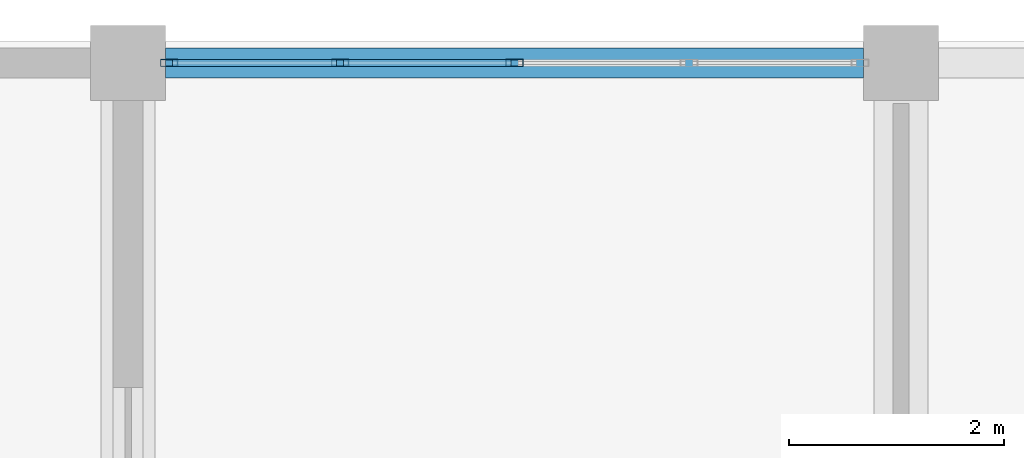
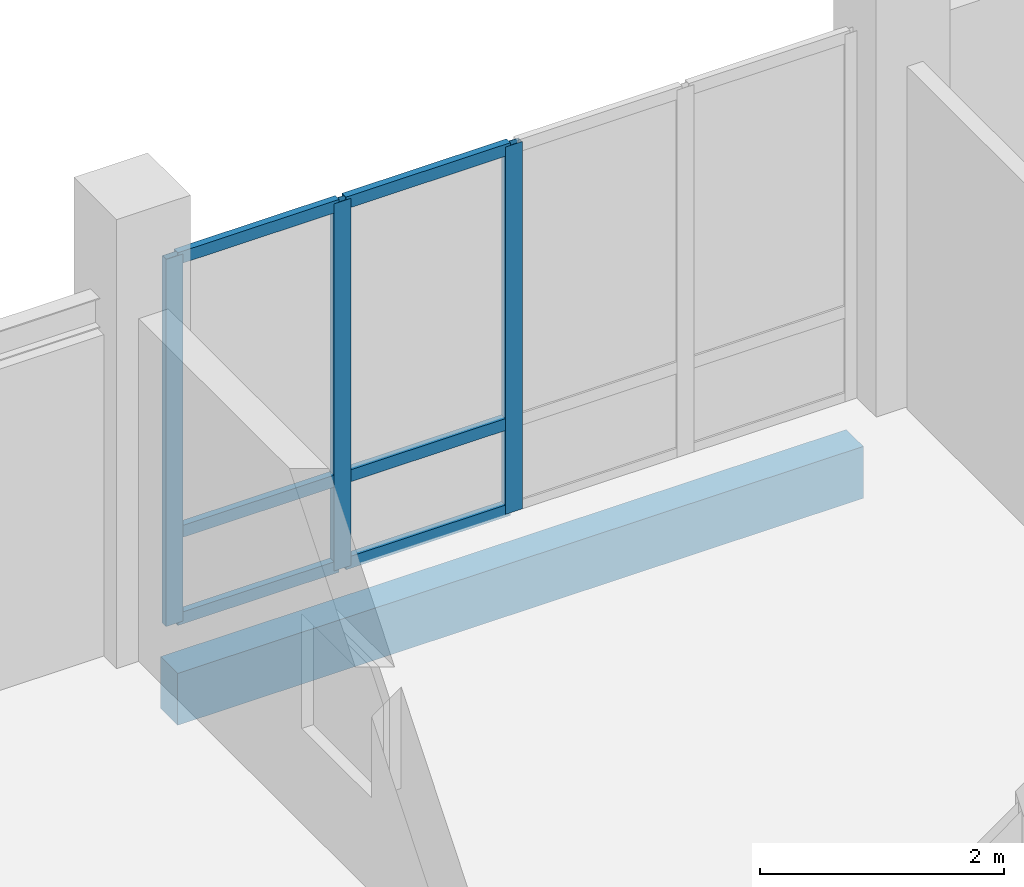
# One storey, part 66 of 139: 9 members, 1 beam, 1 element without a shape of its own.
"""IFC4 building model written with IfcOpenShell, lengths in metres."""

from ifc_helpers import new_model, si_unit, direction, frame, origin, origin_2d, place, context, subcontext, project, spatial, rectangle, hollow_rectangle, extrude, material, material_profile, profile_set, type_object, element, aggregate, save


model = new_model("IFC4")

# Units and contexts
model_context = context("Model", 3, precision=1e-05, world=origin(), true_north=direction((0.0, 1.0)))
body_context = subcontext(model_context, "Body", "Model", "MODEL_VIEW")
ifc_project = project(units=[si_unit("LENGTHUNIT", "METRE"), si_unit("AREAUNIT", "SQUARE_METRE"), si_unit("VOLUMEUNIT", "CUBIC_METRE"), si_unit("PLANEANGLEUNIT", "RADIAN"), si_unit("MASSUNIT", "GRAM", prefix="KILO")], contexts=[model_context])

# Site, building, storey
site_placement = place(None, origin())
site = spatial("IfcSite", under=ifc_project, at=site_placement, CompositionType="ELEMENT")
building_placement = place(site_placement, origin())
building = spatial("IfcBuilding", under=site, at=building_placement, Name="Suanplinth Sawtooth Commons", CompositionType="ELEMENT")
storey_placement = place(building_placement, origin())
storey = spatial("IfcBuildingStorey", under=building, at=storey_placement, Name="L00", CompositionType="ELEMENT", Elevation=0.0)

# Beam
ifc_material_1 = material(Name="Precast concrete C40/50", Category="concrete")
ifc_material_profile_1 = material_profile(ifc_material_1, rectangle(XDim=0.280029296875, YDim=0.52001953125, at=origin_2d()), Name="PC-SP 280x520")
ifc_profile_set_1 = profile_set([ifc_material_profile_1], Name="Precast concrete C40/50")
beam_type = type_object("IfcBeamType", Name="B-08", PredefinedType="SPANDREL", material=ifc_profile_set_1)
beam_placement = place(storey_placement, frame((122.75, 122.39990234375, -0.679931640625), z_axis=(1.0, 0.0, 0.0), x_axis=(0.0, 1.0, 0.0)))
element("IfcBeam", 1, at=beam_placement, inside=storey, type_object=beam_type, Name="BMX-L00-B-17-17", PredefinedType="SPANDREL", context=body_context, shape_type="SweptSolid", body=[
    extrude(rectangle(XDim=0.280029296875, YDim=0.52001953125, at=origin_2d()), origin(), (0.0, 0.0, 1.0), 6.5),
])

# Curtain wall, members
ifc_material_2 = material(Name="Anodized aluminium and low-E glazing", Category="aluminium")
curtain_wall_type = type_object("IfcCurtainWallType", Name="CW-04", PredefinedType="USERDEFINED", material=ifc_material_2)
curtain_wall_placement = place(storey_placement, origin())
curtain_wall = element("IfcCurtainWall", 2, at=curtain_wall_placement, inside=storey, type_object=curtain_wall_type, Name="Curtain Wall CW-L00-B-N-17", ObjectType="CURTAIN WALL", PredefinedType="USERDEFINED")
ifc_material_3 = material(Name="Anodized aluminium 6063-T6", Category="aluminium")
ifc_material_profile_2 = material_profile(ifc_material_3, hollow_rectangle(XDim=0.06494140625, YDim=0.159912109375, WallThickness=0.00390625, at=origin_2d()), Name="ALU-MUL 65x160")
ifc_profile_set_2 = profile_set([ifc_material_profile_2], Name="Anodized aluminium 6063-T6")
member_type_1 = type_object("IfcMemberType", Name="M-13", PredefinedType="MULLION", material=ifc_profile_set_2)
member_1_placement = place(storey_placement, frame((122.782470703125, 122.39990234375, 0.0), z_axis=(0.0, 0.0, 1.0), x_axis=(0.0, 1.0, 0.0)))
member_1 = element("IfcMember", 3, at=member_1_placement, type_object=member_type_1, Name="CW-04 mullion 1", PredefinedType="MULLION", context=body_context, shape_type="SweptSolid", body=[
    extrude(hollow_rectangle(XDim=0.06494140625, YDim=0.159912109375, WallThickness=0.00390625, at=origin_2d()), origin(), (0.0, 0.0, 1.0), 3.679931640625),
])
member_2_placement = place(storey_placement, frame((124.375, 122.39990234375, 0.0), z_axis=(0.0, 0.0, 1.0), x_axis=(0.0, 1.0, 0.0)))
member_2 = element("IfcMember", 4, at=member_2_placement, type_object=member_type_1, Name="CW-04 mullion 2", PredefinedType="MULLION", context=body_context, shape_type="SweptSolid", body=[
    extrude(hollow_rectangle(XDim=0.06494140625, YDim=0.159912109375, WallThickness=0.00390625, at=origin_2d()), origin(), (0.0, 0.0, 1.0), 3.679931640625),
])
member_3_placement = place(storey_placement, frame((126.0, 122.39990234375, 0.0), z_axis=(0.0, 0.0, 1.0), x_axis=(0.0, 1.0, 0.0)))
member_3 = element("IfcMember", 5, at=member_3_placement, type_object=member_type_1, Name="CW-04 mullion 3", PredefinedType="MULLION", context=body_context, shape_type="SweptSolid", body=[
    extrude(hollow_rectangle(XDim=0.06494140625, YDim=0.159912109375, WallThickness=0.00390625, at=origin_2d()), origin(), (0.0, 0.0, 1.0), 3.679931640625),
])
ifc_material_profile_3 = material_profile(ifc_material_3, hollow_rectangle(XDim=0.06494140625, YDim=0.1201171875, WallThickness=0.00390625, at=origin_2d()), Name="ALU-TRN 65x120")
ifc_profile_set_3 = profile_set([ifc_material_profile_3], Name="Anodized aluminium 6063-T6")
member_type_2 = type_object("IfcMemberType", Name="M-15", PredefinedType="USERDEFINED", material=ifc_profile_set_3)
member_4_placement = place(storey_placement, frame((122.81494140625, 122.39990234375, 0.032470703125), z_axis=(1.0, 0.0, 0.0), x_axis=(0.0, 1.0, 0.0)))
member_4 = element("IfcMember", 6, at=member_4_placement, type_object=member_type_2, Name="CW-04 transom 1.1", ObjectType="TRANSOM", PredefinedType="USERDEFINED", context=body_context, shape_type="SweptSolid", body=[
    extrude(hollow_rectangle(XDim=0.06494140625, YDim=0.1201171875, WallThickness=0.00390625, at=origin_2d()), origin(), (0.0, 0.0, 1.0), 1.527587890625),
])
member_5_placement = place(storey_placement, frame((122.81494140625, 122.39990234375, 0.89990234375), z_axis=(1.0, 0.0, 0.0), x_axis=(0.0, 1.0, 0.0)))
member_5 = element("IfcMember", 7, at=member_5_placement, type_object=member_type_2, Name="CW-04 transom 1.2", ObjectType="TRANSOM", PredefinedType="USERDEFINED", context=body_context, shape_type="SweptSolid", body=[
    extrude(hollow_rectangle(XDim=0.06494140625, YDim=0.1201171875, WallThickness=0.00390625, at=origin_2d()), origin(), (0.0, 0.0, 1.0), 1.527587890625),
])
member_6_placement = place(storey_placement, frame((122.81494140625, 122.39990234375, 3.6474609375), z_axis=(1.0, 0.0, 0.0), x_axis=(0.0, 1.0, 0.0)))
member_6 = element("IfcMember", 8, at=member_6_placement, type_object=member_type_2, Name="CW-04 transom 1.3", ObjectType="TRANSOM", PredefinedType="USERDEFINED", context=body_context, shape_type="SweptSolid", body=[
    extrude(hollow_rectangle(XDim=0.06494140625, YDim=0.1201171875, WallThickness=0.00390625, at=origin_2d()), origin(), (0.0, 0.0, 1.0), 1.527587890625),
])
member_7_placement = place(storey_placement, frame((124.407470703125, 122.39990234375, 0.032470703125), z_axis=(1.0, 0.0, 0.0), x_axis=(0.0, 1.0, 0.0)))
member_7 = element("IfcMember", 9, at=member_7_placement, type_object=member_type_2, Name="CW-04 transom 2.1", ObjectType="TRANSOM", PredefinedType="USERDEFINED", context=body_context, shape_type="SweptSolid", body=[
    extrude(hollow_rectangle(XDim=0.06494140625, YDim=0.1201171875, WallThickness=0.00390625, at=origin_2d()), origin(), (0.0, 0.0, 1.0), 1.56005859375),
])
member_8_placement = place(storey_placement, frame((124.407470703125, 122.39990234375, 0.89990234375), z_axis=(1.0, 0.0, 0.0), x_axis=(0.0, 1.0, 0.0)))
member_8 = element("IfcMember", 10, at=member_8_placement, type_object=member_type_2, Name="CW-04 transom 2.2", ObjectType="TRANSOM", PredefinedType="USERDEFINED", context=body_context, shape_type="SweptSolid", body=[
    extrude(hollow_rectangle(XDim=0.06494140625, YDim=0.1201171875, WallThickness=0.00390625, at=origin_2d()), origin(), (0.0, 0.0, 1.0), 1.56005859375),
])
member_9_placement = place(storey_placement, frame((124.407470703125, 122.39990234375, 3.6474609375), z_axis=(1.0, 0.0, 0.0), x_axis=(0.0, 1.0, 0.0)))
member_9 = element("IfcMember", 11, at=member_9_placement, type_object=member_type_2, Name="CW-04 transom 2.3", ObjectType="TRANSOM", PredefinedType="USERDEFINED", context=body_context, shape_type="SweptSolid", body=[
    extrude(hollow_rectangle(XDim=0.06494140625, YDim=0.1201171875, WallThickness=0.00390625, at=origin_2d()), origin(), (0.0, 0.0, 1.0), 1.56005859375),
])
aggregate(curtain_wall, [member_1, member_2, member_3, member_4, member_5, member_6, member_7, member_8, member_9])

save(model, "model.ifc")
